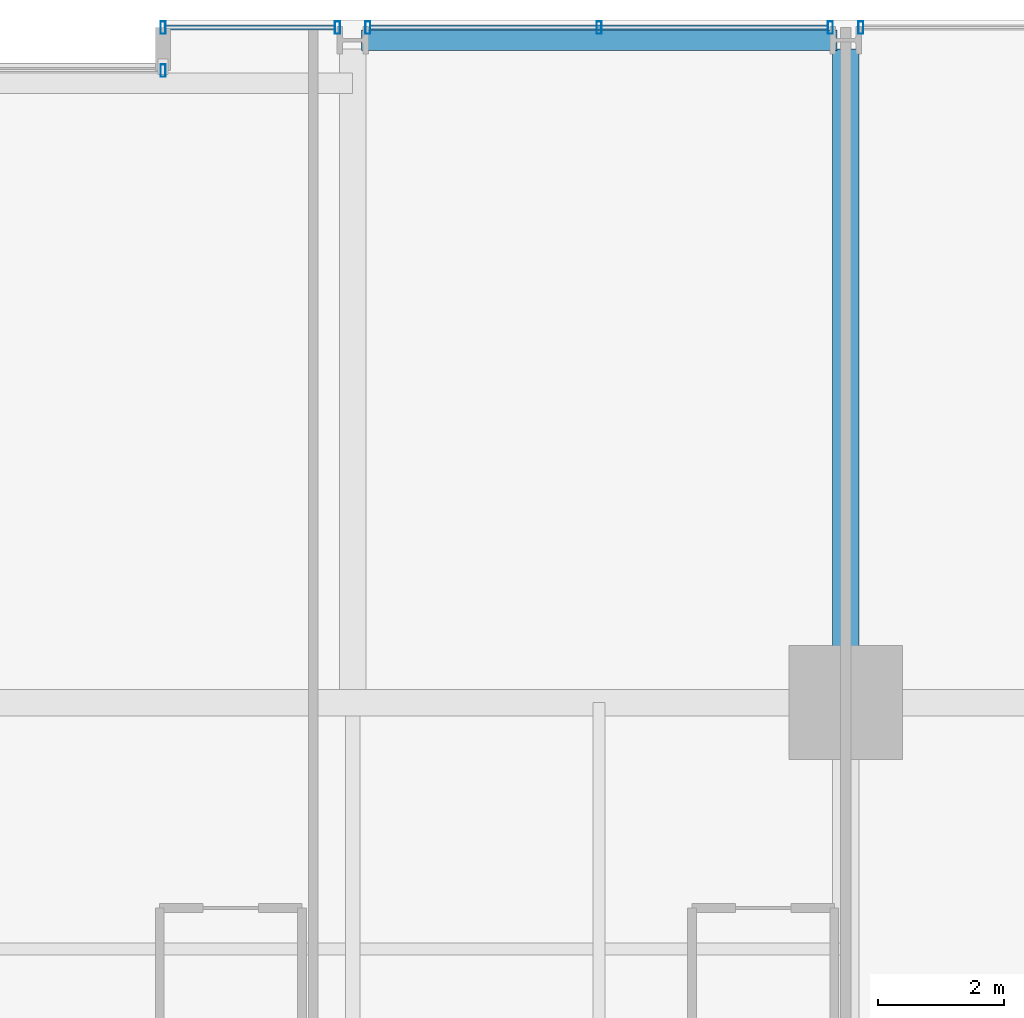
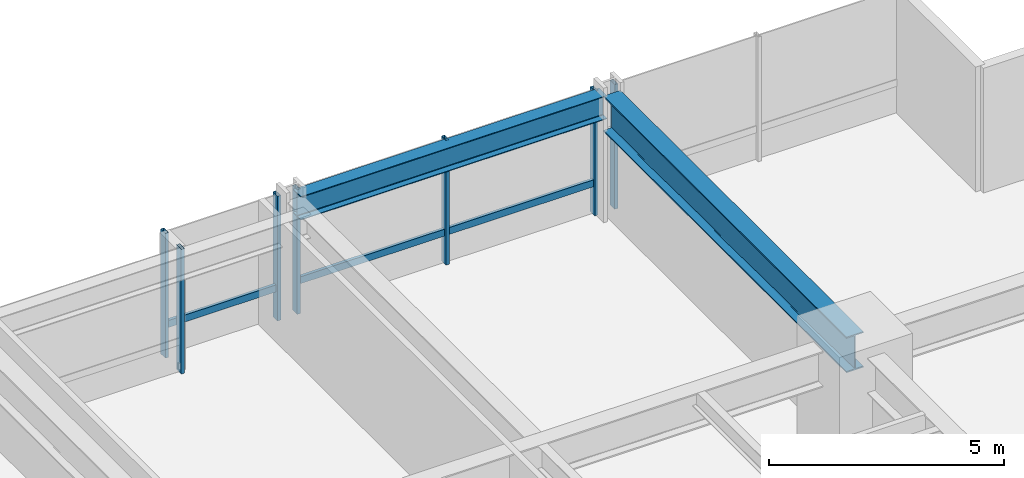
# One storey, part 27 of 38: 9 members, 2 beams, 4 elements without a shape of their own.
"""IFC4 building model written with IfcOpenShell, lengths in metres."""

from ifc_helpers import new_model, si_unit, direction, frame, origin, origin_2d, place, context, subcontext, project, spatial, hollow_rectangle, i_section, extrude, material, layer, layer_set, material_profile, profile_set, type_object, element, aggregate, save


model = new_model("IFC4")

# Units and contexts
model_context = context("Model", 3, precision=1e-05, world=origin(), true_north=direction((0.0, 1.0)))
body_context = subcontext(model_context, "Body", "Model", "MODEL_VIEW")
ifc_project = project(units=[si_unit("LENGTHUNIT", "METRE"), si_unit("AREAUNIT", "SQUARE_METRE"), si_unit("VOLUMEUNIT", "CUBIC_METRE"), si_unit("PLANEANGLEUNIT", "RADIAN"), si_unit("MASSUNIT", "GRAM", prefix="KILO")], contexts=[model_context])

# Site, building, storey
site_placement = place(None, origin())
site = spatial("IfcSite", under=ifc_project, at=site_placement, CompositionType="ELEMENT")
building_placement = place(site_placement, origin())
building = spatial("IfcBuilding", under=site, at=building_placement, Name="Drelvath Grand Hotel", CompositionType="ELEMENT")
storey_placement = place(building_placement, frame((0.0, 0.0, 50.699951171875)))
storey = spatial("IfcBuildingStorey", under=building, at=storey_placement, Name="L11", CompositionType="ELEMENT", Elevation=50.699951171875)

# Curtain wall, member
ifc_material_1 = material(Name="Warm Bronze Anodised Aluminium Frame", Category="aluminium")
ifc_layer = layer(ifc_material_1, 0.199951171875)
ifc_layer_set = layer_set([ifc_layer], Name="Warm Bronze Anodised Aluminium Frame")
curtain_wall_type = type_object("IfcCurtainWallType", Name="Stick Curtain Wall CW-02 Warm Bronze Low-Rise", PredefinedType="NOTDEFINED", material=ifc_layer_set)
curtain_wall_1_placement = place(storey_placement, origin())
curtain_wall_1 = element("IfcCurtainWall", 1, at=curtain_wall_1_placement, inside=storey, type_object=curtain_wall_type, Name="L11 CW-02 Curtain Wall CW02-L11-NE1", PredefinedType="NOTDEFINED")
ifc_material_profile_1 = material_profile(ifc_material_1, hollow_rectangle(XDim=0.074951171875, YDim=0.179931640625, WallThickness=0.0048828125, at=origin_2d()), Name="HSS180X75X5")
ifc_profile_set_1 = profile_set([ifc_material_profile_1], Name="Warm Bronze Anodised Aluminium Frame")
member_type_1 = type_object("IfcMemberType", Name="Curtain Wall Horizontal Transom CW-02 HSS180X75X5", PredefinedType="USERDEFINED", material=ifc_profile_set_1)
member_1_placement = place(storey_placement, frame((5.43994140625, 53.8798828125, 0.81005859375), z_axis=(1.0, 0.0, 0.0), x_axis=(0.0, 1.0, 0.0)))
member_1 = element("IfcMember", 2, at=member_1_placement, type_object=member_type_1, Name="CW02-L11-NE1 Sill Transom", ObjectType="TRANSOM", PredefinedType="USERDEFINED", context=body_context, shape_type="SweptSolid", body=[
    extrude(hollow_rectangle(XDim=0.074951171875, YDim=0.179931640625, WallThickness=0.0048828125, at=origin_2d()), origin(), (0.0, 0.0, 1.0), 2.67919921875),
])

curtain_wall_2_placement = place(storey_placement, origin())
curtain_wall_2 = element("IfcCurtainWall", 3, at=curtain_wall_2_placement, inside=storey, type_object=curtain_wall_type, Name="L11 CW-02 Curtain Wall CW02-L11-NE2", PredefinedType="NOTDEFINED")
member_2_placement = place(storey_placement, frame((8.680908203125, 53.8798828125, 0.81005859375), z_axis=(1.0, 0.0, 0.0), x_axis=(0.0, 1.0, 0.0)))
member_2 = element("IfcMember", 4, at=member_2_placement, type_object=member_type_1, Name="CW02-L11-NE2 Sill Transom", ObjectType="TRANSOM", PredefinedType="USERDEFINED", context=body_context, shape_type="SweptSolid", body=[
    extrude(hollow_rectangle(XDim=0.074951171875, YDim=0.179931640625, WallThickness=0.0048828125, at=origin_2d()), origin(), (0.0, 0.0, 1.0), 7.23828125),
])

curtain_wall_3_placement = place(storey_placement, origin())
curtain_wall_3 = element("IfcCurtainWall", 5, at=curtain_wall_3_placement, inside=storey, type_object=curtain_wall_type, Name="L11 CW-02 Curtain Wall CW02-L11-NM2", PredefinedType="NOTDEFINED")
ifc_material_profile_2 = material_profile(ifc_material_1, hollow_rectangle(XDim=0.080078125, YDim=0.199951171875, WallThickness=0.0048828125, at=origin_2d()), Name="HSS200X80X5")
ifc_profile_set_2 = profile_set([ifc_material_profile_2], Name="Warm Bronze Anodised Aluminium Frame")
member_type_2 = type_object("IfcMemberType", Name="Curtain Wall Vertical Mullion CW-02 HSS200X80X5", PredefinedType="MULLION", material=ifc_profile_set_2)
member_3_placement = place(storey_placement, frame((5.39990234375, 53.199951171875, 0.0), z_axis=(0.0, 0.0, 1.0), x_axis=(1.0, 0.0, 0.0)))
member_3 = element("IfcMember", 6, at=member_3_placement, type_object=member_type_2, Name="CW02-L11-NM2 Mullion 2", PredefinedType="MULLION", context=body_context, shape_type="SweptSolid", body=[
    extrude(hollow_rectangle(XDim=0.080078125, YDim=0.199951171875, WallThickness=0.0048828125, at=origin_2d()), origin(), (0.0, 0.0, 1.0), 3.239990234375),
])
aggregate(curtain_wall_3, [member_3])

# Member
member_4_placement = place(storey_placement, frame((5.39990234375, 53.8798828125, 0.0), z_axis=(0.0, 0.0, 1.0), x_axis=(1.0, 0.0, 0.0)))
member_4 = element("IfcMember", 7, at=member_4_placement, type_object=member_type_2, Name="CW02-L11-NE1 Mullion 1", PredefinedType="MULLION", context=body_context, shape_type="SweptSolid", body=[
    extrude(hollow_rectangle(XDim=0.080078125, YDim=0.199951171875, WallThickness=0.0048828125, at=origin_2d()), origin(), (0.0, 0.0, 1.0), 3.239990234375),
])

member_5_placement = place(storey_placement, frame((8.1591796875, 53.8798828125, 0.0), z_axis=(0.0, 0.0, 1.0), x_axis=(1.0, 0.0, 0.0)))
member_5 = element("IfcMember", 8, at=member_5_placement, type_object=member_type_2, Name="CW02-L11-NE1 Mullion 2", PredefinedType="MULLION", context=body_context, shape_type="SweptSolid", body=[
    extrude(hollow_rectangle(XDim=0.080078125, YDim=0.199951171875, WallThickness=0.0048828125, at=origin_2d()), origin(), (0.0, 0.0, 1.0), 3.239990234375),
])

aggregate(curtain_wall_1, [member_4, member_5, member_1])

member_6_placement = place(storey_placement, frame((8.640869140625, 53.8798828125, 0.0), z_axis=(0.0, 0.0, 1.0), x_axis=(1.0, 0.0, 0.0)))
member_6 = element("IfcMember", 9, at=member_6_placement, type_object=member_type_2, Name="CW02-L11-NE2 Mullion 1", PredefinedType="MULLION", context=body_context, shape_type="SweptSolid", body=[
    extrude(hollow_rectangle(XDim=0.080078125, YDim=0.199951171875, WallThickness=0.0048828125, at=origin_2d()), origin(), (0.0, 0.0, 1.0), 3.239990234375),
])

member_7_placement = place(storey_placement, frame((12.300048828125, 53.8798828125, 0.0), z_axis=(0.0, 0.0, 1.0), x_axis=(1.0, 0.0, 0.0)))
member_7 = element("IfcMember", 10, at=member_7_placement, type_object=member_type_2, Name="CW02-L11-NE2 Mullion 2", PredefinedType="MULLION", context=body_context, shape_type="SweptSolid", body=[
    extrude(hollow_rectangle(XDim=0.080078125, YDim=0.199951171875, WallThickness=0.0048828125, at=origin_2d()), origin(), (0.0, 0.0, 1.0), 3.239990234375),
])

member_8_placement = place(storey_placement, frame((15.958984375, 53.8798828125, 0.0), z_axis=(0.0, 0.0, 1.0), x_axis=(1.0, 0.0, 0.0)))
member_8 = element("IfcMember", 11, at=member_8_placement, type_object=member_type_2, Name="CW02-L11-NE2 Mullion 3", PredefinedType="MULLION", context=body_context, shape_type="SweptSolid", body=[
    extrude(hollow_rectangle(XDim=0.080078125, YDim=0.199951171875, WallThickness=0.0048828125, at=origin_2d()), origin(), (0.0, 0.0, 1.0), 3.239990234375),
])

aggregate(curtain_wall_2, [member_6, member_7, member_8, member_2])

# Curtain wall, member
curtain_wall_4_placement = place(storey_placement, origin())
curtain_wall_4 = element("IfcCurtainWall", 12, at=curtain_wall_4_placement, inside=storey, type_object=curtain_wall_type, Name="L11 CW-02 Curtain Wall CW02-L11-NE3", PredefinedType="NOTDEFINED")
member_9_placement = place(storey_placement, frame((16.44091796875, 53.8798828125, 0.0), z_axis=(0.0, 0.0, 1.0), x_axis=(1.0, 0.0, 0.0)))
member_9 = element("IfcMember", 13, at=member_9_placement, type_object=member_type_2, Name="CW02-L11-NE3 Mullion 1", PredefinedType="MULLION", context=body_context, shape_type="SweptSolid", body=[
    extrude(hollow_rectangle(XDim=0.080078125, YDim=0.199951171875, WallThickness=0.0048828125, at=origin_2d()), origin(), (0.0, 0.0, 1.0), 3.239990234375),
])
aggregate(curtain_wall_4, [member_9])

# Beams
ifc_material_2 = material(Name="Steel ASTM A992 Gr 50", Category="steel")
ifc_material_profile_3 = material_profile(ifc_material_2, i_section(OverallWidth=0.323974609375, OverallDepth=0.611083984375, WebThickness=0.0126953125, FlangeThickness=0.01904296875, FilletRadius=0.02197265625, at=origin_2d()), Name="W24X104")
ifc_profile_set_3 = profile_set([ifc_material_profile_3], Name="Steel ASTM A992 Gr 50")
beam_type_1 = type_object("IfcBeamType", Name="Perimeter Spandrel Beam W24X104", PredefinedType="SPANDREL", material=ifc_profile_set_3)
beam_1_placement = place(storey_placement, frame((8.5400390625, 53.679931640625, 2.9345703125), z_axis=(1.0, 0.0, 0.0), x_axis=(0.0, 1.0, 0.0)))
element("IfcBeam", 14, at=beam_1_placement, inside=storey, type_object=beam_type_1, Name="L11 Spandrel North E", PredefinedType="SPANDREL", context=body_context, shape_type="SweptSolid", body=[
    extrude(i_section(OverallWidth=0.323974609375, OverallDepth=0.611083984375, WebThickness=0.0126953125, FlangeThickness=0.01904296875, FilletRadius=0.02197265625, at=origin_2d()), origin(), (0.0, 0.0, 1.0), 7.52001953125),
])
ifc_material_profile_4 = material_profile(ifc_material_2, i_section(OverallWidth=0.418212890625, OverallDepth=0.926513671875, WebThickness=0.019287109375, FlangeThickness=0.031982421875, FilletRadius=0.028076171875, at=origin_2d()), Name="W36X231")
ifc_profile_set_4 = profile_set([ifc_material_profile_4], Name="Steel ASTM A992 Gr 50")
beam_type_2 = type_object("IfcBeamType", Name="Primary Floor Girder W36X231", PredefinedType="BEAM", material=ifc_profile_set_4)
beam_2_placement = place(storey_placement, frame((16.199951171875, 43.199951171875, 2.77685546875), z_axis=(0.0, 1.0, 0.0), x_axis=(-1.0, 0.0, 0.0)))
element("IfcBeam", 15, at=beam_2_placement, inside=storey, type_object=beam_type_2, Name="L11 North Grid Girder 7", PredefinedType="BEAM", context=body_context, shape_type="SweptSolid", body=[
    extrude(i_section(OverallWidth=0.418212890625, OverallDepth=0.926513671875, WebThickness=0.019287109375, FlangeThickness=0.031982421875, FilletRadius=0.028076171875, at=origin_2d()), origin(), (0.0, 0.0, 1.0), 10.340087890625),
])

save(model, "model.ifc")
